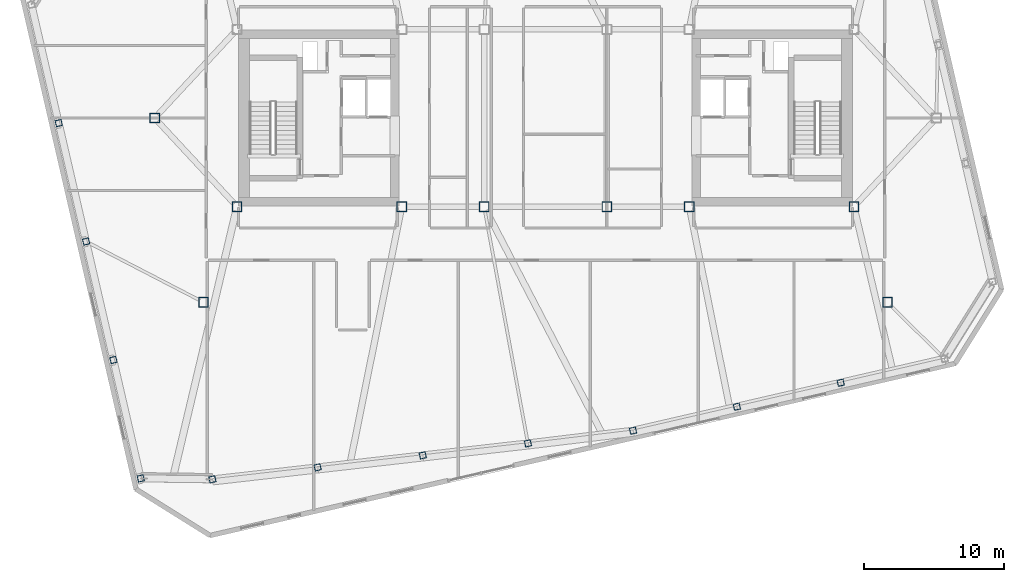
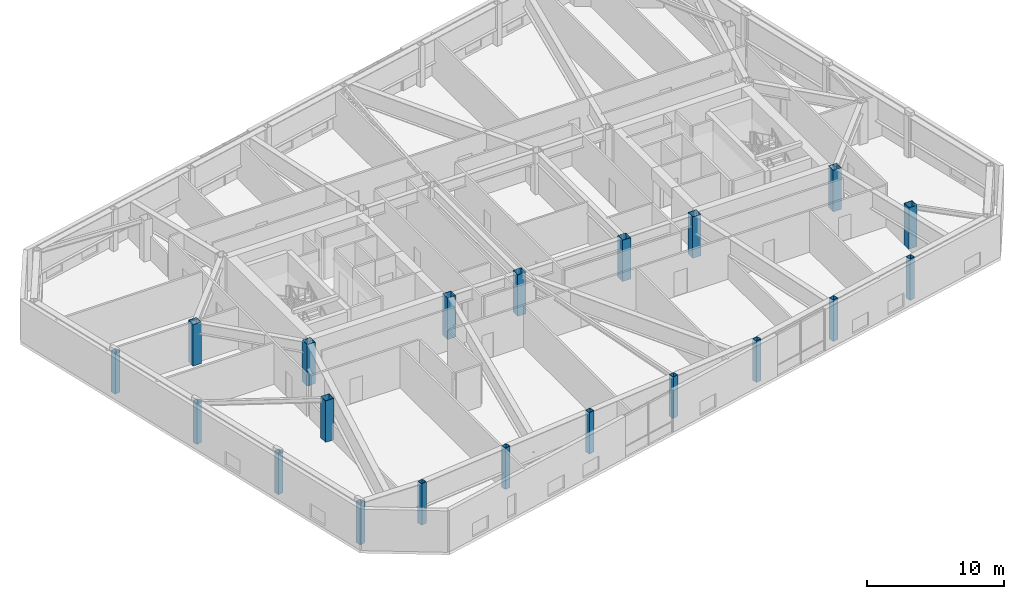
# One storey, part 1 of 23: 20 columns.
"""IFC4 building model written with IfcOpenShell, lengths in metres."""

from ifc_helpers import new_model, si_unit, direction, frame, origin, origin_2d, place, context, subcontext, project, spatial, hollow_rectangle, extrude, material, material_profile, profile_set, type_object, element, save


model = new_model("IFC4")

# Units and contexts
model_context = context("Model", 3, precision=1e-05, world=origin(), true_north=direction((0.0, 1.0)))
body_context = subcontext(model_context, "Body", "Model", "MODEL_VIEW")
ifc_project = project(units=[si_unit("LENGTHUNIT", "METRE"), si_unit("AREAUNIT", "SQUARE_METRE"), si_unit("VOLUMEUNIT", "CUBIC_METRE"), si_unit("PLANEANGLEUNIT", "RADIAN"), si_unit("MASSUNIT", "GRAM", prefix="KILO")], contexts=[model_context])

# Site, building, storey
site_placement = place(None, origin())
site = spatial("IfcSite", under=ifc_project, at=site_placement, CompositionType="ELEMENT")
building_placement = place(site_placement, origin())
building = spatial("IfcBuilding", under=site, at=building_placement, Name="Tavrogorsk Clinical Tower", CompositionType="ELEMENT")
storey_placement = place(building_placement, frame((0.0, 0.0, 329.0)))
storey = spatial("IfcBuildingStorey", under=building, at=storey_placement, Name="L77", CompositionType="ELEMENT", Elevation=329.0)

# Columns
ifc_material_1 = material(Name="Structural steel S440", Category="steel")
ifc_material_profile_1 = material_profile(ifc_material_1, hollow_rectangle(XDim=0.699951171875, YDim=0.699951171875, WallThickness=0.031982421875, at=origin_2d()), Name="BOX-700x700x32")
ifc_profile_set_1 = profile_set([ifc_material_profile_1], Name="Structural steel S440")
column_type_1 = type_object("IfcColumnType", Name="MegaCol_BOX700", PredefinedType="COLUMN", material=ifc_profile_set_1)
for number, where, z_axis, x_axis, name in (
    (1, (-22.10009765625, -6.35009765625, 0.0), (0.0, 0.0, 1.0), (1.0, 0.0, 0.0), "L77 Mega Column MC-W1"),
    (2, (-10.300048828125, -6.35009765625, 0.0), (0.0, 0.0, 1.0), (1.0, 0.0, 0.0), "L77 Mega Column MC-W3"),
    (3, (10.300048828125, -6.35009765625, 0.0), (0.0, 0.0, 1.0), (1.0, 0.0, 0.0), "L77 Mega Column MC-E1"),
    (4, (22.10009765625, -6.35009765625, 0.0), (0.0, 0.0, 1.0), (1.0, 0.0, 0.0), "L77 Mega Column MC-E3"),
    (5, (-4.39990234375, -6.35009765625, 0.0), (0.0, 0.0, 1.0), (1.0, 0.0, 0.0), "L77 Mega Column MC-C1"),
    (6, (4.39990234375, -6.35009765625, 0.0), (0.0, 0.0, 1.0), (1.0, 0.0, 0.0), "L77 Mega Column MC-C2"),
    (7, (-24.5, -13.199951171875, 0.0), (0.0, 0.0, 1.0), (1.0, 0.0, 0.0), "L77 Spine Pilotis Column MC-P1"),
    (8, (24.5, -13.199951171875, 0.0), (0.0, 0.0, 1.0), (1.0, 0.0, 0.0), "L77 Spine Pilotis Column MC-P2"),
    (9, (-28.0, 0.0, 0.0), (0.0, 0.0, 1.0), (1.0, 0.0, 0.0), "L77 Spine Pilotis Column MC-P5"),
):
    element("IfcColumn", number, at=place(storey_placement, frame(where, z_axis=z_axis, x_axis=x_axis)), inside=storey, type_object=column_type_1, Name=name, PredefinedType="COLUMN", context=body_context, shape_type="SweptSolid", body=[
        extrude(hollow_rectangle(XDim=0.699951171875, YDim=0.699951171875, WallThickness=0.031982421875, at=origin_2d()), origin(), (0.0, 0.0, 1.0), 3.679931640625),
    ])
ifc_material_2 = material(Name="Structural steel S440", Category="steel")
ifc_material_profile_2 = material_profile(ifc_material_2, hollow_rectangle(XDim=0.449951171875, YDim=0.449951171875, WallThickness=0.02197265625, at=origin_2d()), Name="BOX-450x450x22")
ifc_profile_set_2 = profile_set([ifc_material_profile_2], Name="Structural steel S440")
column_type_2 = type_object("IfcColumnType", Name="PerimCol_B5_BOX450", PredefinedType="COLUMN", material=ifc_profile_set_2)
for number, where, z_axis, x_axis, name in (
    (10, (-23.866943359375, -25.8857421875, 0.0), (0.0, 0.0, 1.0), (0.974370064785, 0.224951054344, 0.0), "L77 Perimeter Column S1"),
    (11, (-16.330322265625, -25.027099609375, 0.0), (0.0, 0.0, 1.0), (0.974370064785, 0.224951054344, 0.0), "L77 Perimeter Column S2"),
    (12, (-8.7939453125, -24.16845703125, 0.0), (0.0, 0.0, 1.0), (0.974370064785, 0.224951054344, 0.0), "L77 Perimeter Column S3"),
    (13, (-1.257568359375, -23.309814453125, 0.0), (0.0, 0.0, 1.0), (0.974370064785, 0.224951054344, 0.0), "L77 Perimeter Column S4"),
    (14, (6.272705078125, -22.39697265625, 0.0), (0.0, 0.0, 1.0), (0.974370064785, 0.224951054344, 0.0), "L77 Perimeter Column S5"),
    (15, (13.711181640625, -20.6796875, 0.0), (0.0, 0.0, 1.0), (0.974370064785, 0.224951054344, 0.0), "L77 Perimeter Column S6"),
    (16, (21.14990234375, -18.96240234375, 0.0), (0.0, 0.0, 1.0), (0.974370064785, 0.224951054344, 0.0), "L77 Perimeter Column S7"),
    (17, (-34.876708984375, -0.358642578125, 0.0), (0.0, 0.0, 1.0), (0.974370064785, 0.224951054344, 0.0), "L77 Perimeter Column W2"),
    (18, (-32.917236328125, -8.845458984375, 0.0), (0.0, 0.0, 1.0), (0.974370064785, 0.224951054344, 0.0), "L77 Perimeter Column W3"),
    (19, (-30.9580078125, -17.332275390625, 0.0), (0.0, 0.0, 1.0), (0.974370064785, 0.224951054344, 0.0), "L77 Perimeter Column W4"),
    (20, (-28.99853515625, -25.819091796875, 0.0), (0.0, 0.0, 1.0), (0.974370064785, 0.224951054344, 0.0), "L77 Perimeter Column W5"),
):
    element("IfcColumn", number, at=place(storey_placement, frame(where, z_axis=z_axis, x_axis=x_axis)), inside=storey, type_object=column_type_2, Name=name, PredefinedType="COLUMN", context=body_context, shape_type="SweptSolid", body=[
        extrude(hollow_rectangle(XDim=0.449951171875, YDim=0.449951171875, WallThickness=0.02197265625, at=origin_2d()), origin(), (0.0, 0.0, 1.0), 3.679931640625),
    ])

save(model, "model.ifc")
